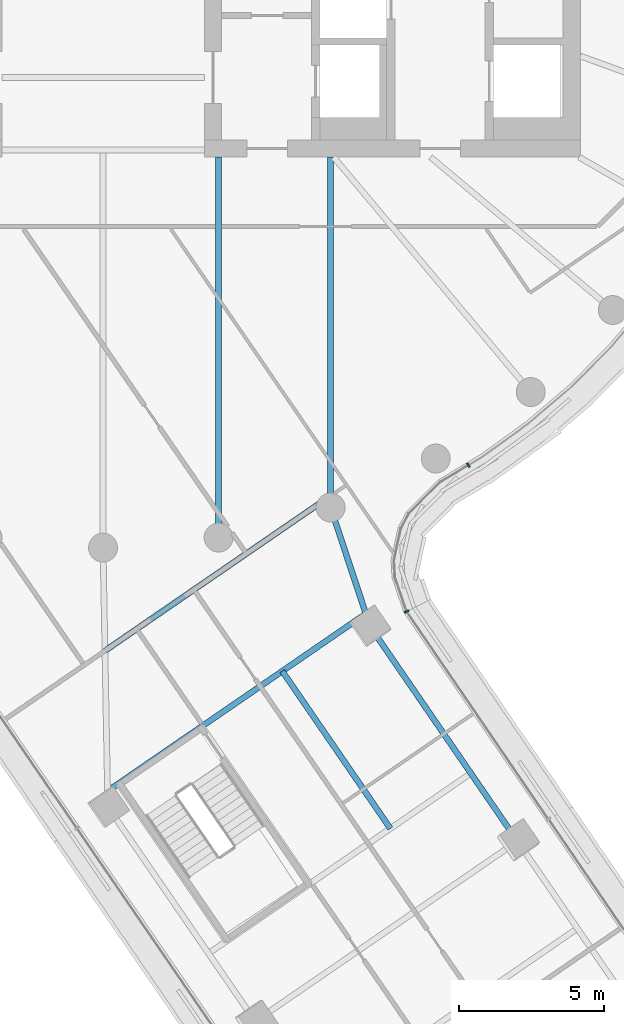
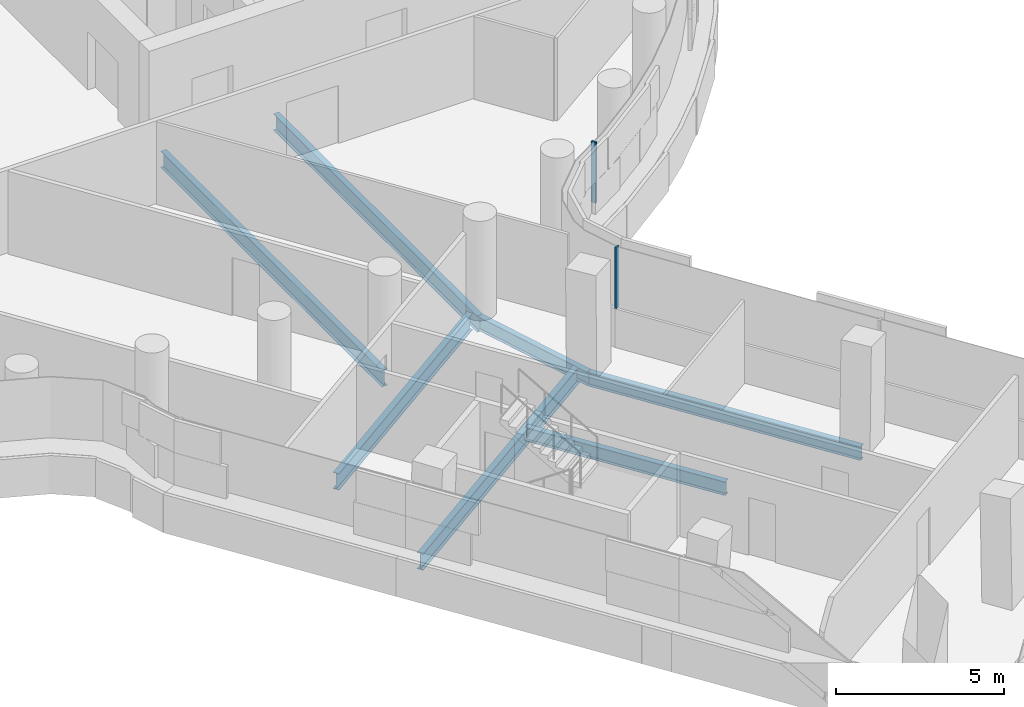
# One storey, part 7 of 33: 7 beams, 2 members, 1 element without a shape of its own.
"""IFC4 building model written with IfcOpenShell, lengths in metres."""

import ifcopenshell
import ifcopenshell.guid

model = None  # the IFC model being written
_history = None  # IfcOwnerHistory: only IFC2X3 demands one
_inside = {}  # id of a spatial element -> (the spatial element, [elements in it])
_under = {}  # id of a project, library or spatial element -> (it, [spatial elements below it])
_declared = {}  # id of a project -> (the project, [libraries it declares])
_typed = {}  # id of a type object -> (the type object, [elements of that type])
_made_of = {}  # id of a material, layer set ... -> (it, [elements and type objects made of it])


def new_model(schema):
    """Start an empty IFC model of exactly this schema.

    Asked for "IFC4X3", IfcOpenShell would pick the latest addendum, in which some entities
    have other attributes; the version numbers below select the first issue.
    IFC2X3 requires an IfcOwnerHistory on every rooted entity: one is made here for all.
    """
    global model, _history
    if schema == "IFC4X3":
        model = ifcopenshell.file(schema_version=(4, 3, 0, 0))
    else:
        model = ifcopenshell.file(schema=schema)
    _inside.clear()
    _under.clear()
    _declared.clear()
    _typed.clear()
    _made_of.clear()
    _history = None
    if model.schema == "IFC2X3":
        org = make("IfcOrganization", Name="unknown")
        user = make(
            "IfcPersonAndOrganization",
            ThePerson=make("IfcPerson", FamilyName="unknown"),
            TheOrganization=org,
        )
        app = make(
            "IfcApplication",
            ApplicationDeveloper=org,
            Version="unknown",
            ApplicationFullName="unknown",
            ApplicationIdentifier="unknown",
        )
        _history = make(
            "IfcOwnerHistory",
            OwningUser=user,
            OwningApplication=app,
            ChangeAction="ADDED",
            CreationDate=0,
        )
    return model


def make(cls, **values):
    """One entity of the class cls with the attributes given. An attribute that is None is left unset."""
    return model.create_entity(
        cls, **{name: value for name, value in values.items() if value is not None}
    )


def rooted(cls, **values):
    """An entity with a GlobalId (a new one), such as an element, a storey or a relation."""
    return make(cls, GlobalId=ifcopenshell.guid.new(), OwnerHistory=_history, **values)


def si_unit(unit_type, name, prefix=None):
    """IfcSIUnit, for example si_unit("LENGTHUNIT", "METRE", prefix="MILLI")."""
    return make("IfcSIUnit", UnitType=unit_type, Prefix=prefix, Name=name)


def assignment(units):
    """IfcUnitAssignment: the units of a project."""
    return None if units is None else make("IfcUnitAssignment", Units=units)


def point(xyz):
    """IfcCartesianPoint."""
    return None if xyz is None else make("IfcCartesianPoint", Coordinates=xyz)


def direction(xyz):
    """IfcDirection."""
    return None if xyz is None else make("IfcDirection", DirectionRatios=xyz)


def frame(location, z_axis=None, x_axis=None):
    """IfcAxis2Placement3D, a coordinate frame: its origin and axes. An axis left out is left unset."""
    return make(
        "IfcAxis2Placement3D",
        Location=point(location),
        Axis=direction(z_axis),
        RefDirection=direction(x_axis),
    )


def frame_2d(location, x_axis=None):
    """IfcAxis2Placement2D, a coordinate frame in the plane: its origin and x axis."""
    return make(
        "IfcAxis2Placement2D", Location=point(location), RefDirection=direction(x_axis)
    )


def origin():
    """The frame at (0, 0, 0) with its axes left unset."""
    return frame((0.0, 0.0, 0.0))


def origin_2d():
    """The frame at (0, 0) in the plane with its x axis left unset."""
    return frame_2d((0.0, 0.0))


def place(relative_to, where):
    """IfcLocalPlacement: puts the frame where relative to a parent placement (None: the world)."""
    return make(
        "IfcLocalPlacement", PlacementRelTo=relative_to, RelativePlacement=where
    )


def context(
    kind, dimensions, precision=None, world=None, true_north=None, identifier=None
):
    """IfcGeometricRepresentationContext, for example the 3D "Model" context."""
    return make(
        "IfcGeometricRepresentationContext",
        ContextIdentifier=identifier,
        ContextType=kind,
        CoordinateSpaceDimension=dimensions,
        Precision=precision,
        WorldCoordinateSystem=world,
        TrueNorth=true_north,
    )


def subcontext(parent, identifier, kind, view, scale=None):
    """IfcGeometricRepresentationSubContext, for example "Body" below "Model"."""
    return make(
        "IfcGeometricRepresentationSubContext",
        ContextIdentifier=identifier,
        ContextType=kind,
        ParentContext=parent,
        TargetScale=scale,
        TargetView=view,
    )


def project(units=None, contexts=None):
    """IfcProject with its units and contexts."""
    return rooted(
        "IfcProject",
        Name="project",
        RepresentationContexts=contexts,
        UnitsInContext=assignment(units),
    )


def spatial(cls, under=None, at=None, **own):
    """A site, building, storey or space (cls), placed at a placement, below another one or the project."""
    s = rooted(cls, ObjectPlacement=at, **own)
    if under is not None:
        _under.setdefault(under.id(), (under, []))[1].append(s)
    return s


def profile(cls, at=None, kind="AREA", **sizes):
    """A parametric profile (cls). Its sizes go by their IFC names, for example OverallWidth=200.0."""
    return make(cls, ProfileType=kind, Position=at, **sizes)


def rectangle(**sizes):
    """IfcRectangleProfileDef."""
    return profile("IfcRectangleProfileDef", **sizes)


def i_section(**sizes):
    """IfcIShapeProfileDef."""
    return profile("IfcIShapeProfileDef", **sizes)


def extrude(swept, where, along, depth):
    """IfcExtrudedAreaSolid: the profile swept, set in the frame where, extruded along a direction by depth."""
    return make(
        "IfcExtrudedAreaSolid",
        SweptArea=swept,
        Position=where,
        ExtrudedDirection=direction(along),
        Depth=depth,
    )


def shape(context_of_items, identifier, shape_type, items):
    """IfcShapeRepresentation: the items that make up one representation, for example the "Body"."""
    return make(
        "IfcShapeRepresentation",
        ContextOfItems=context_of_items,
        RepresentationIdentifier=identifier,
        RepresentationType=shape_type,
        Items=items,
    )


def material(Name=None, Category=None):
    """IfcMaterial."""
    return make("IfcMaterial", Name=Name, Category=Category)


def layer(
    of_material, thickness, ventilated=None, Name=None, Category=None, Priority=None
):
    """IfcMaterialLayer: one layer of a wall or slab, of a material (None: an air gap)."""
    return make(
        "IfcMaterialLayer",
        Material=of_material,
        LayerThickness=thickness,
        IsVentilated=ventilated,
        Name=Name,
        Category=Category,
        Priority=Priority,
    )


def layer_set(layers, Name=None):
    """IfcMaterialLayerSet."""
    return make("IfcMaterialLayerSet", MaterialLayers=layers, LayerSetName=Name)


def material_profile(
    of_material, cross_section, Name=None, Category=None, Priority=None
):
    """IfcMaterialProfile: a cross section and its material."""
    return make(
        "IfcMaterialProfile",
        Name=Name,
        Material=of_material,
        Profile=cross_section,
        Priority=Priority,
        Category=Category,
    )


def profile_set(profiles, Name=None, composite=None):
    """IfcMaterialProfileSet."""
    return make(
        "IfcMaterialProfileSet",
        Name=Name,
        MaterialProfiles=profiles,
        CompositeProfile=composite,
    )


def made_of(thing, what):
    """Note that an element or type object is made of a material, layer set ...; save() writes the relation."""
    if what is not None:
        _made_of.setdefault(what.id(), (what, []))[1].append(thing)
    return thing


def type_object(cls, material=None, **own):
    """A type object (cls), such as IfcWallType, which elements share."""
    return made_of(rooted(cls, **own), material)


def element(
    cls,
    number,
    at=None,
    inside=None,
    cuts=None,
    type_object=None,
    material=None,
    context=None,
    identifier="Body",
    shape_type=None,
    held_by="IfcProductDefinitionShape",
    body=None,
    shapes=None,
    **own,
):
    """One element of the class cls, such as IfcWall. Its Tag is "e" and its number.

    at: its placement. inside: the storey or other place that contains it. cuts: it is an
    opening in that element (IfcRelVoidsElement). A single representation is given by context,
    identifier, shape_type and body (its items); several are given by shapes. held_by: the class
    of the entity that holds the representations. save() writes the other relations.
    """
    e = rooted(cls, Tag="e%d" % number, ObjectPlacement=at, **own)
    if body is not None:
        shapes = [shape(context, identifier, shape_type, body)]
    if shapes is not None:
        e.Representation = make(held_by, Representations=shapes)
    if inside is not None:
        _inside.setdefault(inside.id(), (inside, []))[1].append(e)
    if cuts is not None:
        rooted(
            "IfcRelVoidsElement", RelatingBuildingElement=cuts, RelatedOpeningElement=e
        )
    if type_object is not None:
        _typed.setdefault(type_object.id(), (type_object, []))[1].append(e)
    return made_of(e, material)


def aggregate(whole, parts):
    """IfcRelAggregates: a whole, such as a stair, and the parts it consists of."""
    return rooted("IfcRelAggregates", RelatingObject=whole, RelatedObjects=parts)


def save(model, path):
    """Write the relations noted so far, then the file.

    IfcRelAggregates (storeys below a building ...), IfcRelContainedInSpatialStructure (elements
    in a storey), IfcRelDefinesByType, IfcRelAssociatesMaterial and IfcRelDeclares: one each for
    every whole, place, type object, material and project.
    """
    for whole, parts in _under.values():
        aggregate(whole, parts)
    for where, things in _inside.values():
        rooted(
            "IfcRelContainedInSpatialStructure",
            RelatedElements=things,
            RelatingStructure=where,
        )
    for kind, things in _typed.values():
        rooted("IfcRelDefinesByType", RelatedObjects=things, RelatingType=kind)
    for what, things in _made_of.values():
        rooted("IfcRelAssociatesMaterial", RelatedObjects=things, RelatingMaterial=what)
    for by, libraries in _declared.values():
        rooted("IfcRelDeclares", RelatingContext=by, RelatedDefinitions=libraries)
    model.write(path)


model = new_model("IFC4")

# Units and contexts
model_context = context("Model", 3, precision=1e-05, world=origin(), true_north=direction((0.0, 1.0)))
body_context = subcontext(model_context, "Body", "Model", "MODEL_VIEW")
ifc_project = project(units=[si_unit("LENGTHUNIT", "METRE"), si_unit("AREAUNIT", "SQUARE_METRE"), si_unit("VOLUMEUNIT", "CUBIC_METRE"), si_unit("PLANEANGLEUNIT", "RADIAN"), si_unit("MASSUNIT", "GRAM", prefix="KILO")], contexts=[model_context])

# Site, building, storey
site_placement = place(None, origin())
site = spatial("IfcSite", under=ifc_project, at=site_placement, CompositionType="ELEMENT")
building_placement = place(site_placement, origin())
building = spatial("IfcBuilding", under=site, at=building_placement, Name="Tamarind Cross Interchange Tower", CompositionType="ELEMENT")
storey_placement = place(building_placement, frame((0.0, 0.0, 159.25)))
storey = spatial("IfcBuildingStorey", under=building, at=storey_placement, Name="L39", CompositionType="ELEMENT", Elevation=159.25)

# Beams
ifc_material_1 = material(Name="Steel Q355B", Category="steel")
ifc_material_profile_1 = material_profile(ifc_material_1, i_section(OverallWidth=0.198974609375, OverallDepth=0.49609375, WebThickness=0.009033203125, FlangeThickness=0.013916015625, FilletRadius=0.012939453125, at=origin_2d()), Name="HN 496x199x9x14")
ifc_profile_set_1 = profile_set([ifc_material_profile_1], Name="Steel Q355B")
beam_type_1 = type_object("IfcBeamType", Name="Composite beam HN 496x199x9x14 Q355B", PredefinedType="BEAM", material=ifc_profile_set_1)
beam_1_placement = place(storey_placement, frame((14.327392578125, -33.1474609375, -0.387939453125), z_axis=(-0.566109686972, 0.824329923221, 0.0), x_axis=(-0.824329923221, -0.566109686972, 0.0)))
element("IfcBeam", 1, at=beam_1_placement, inside=storey, type_object=beam_type_1, Name="Beam S-edgeep3", PredefinedType="BEAM", context=body_context, shape_type="SweptSolid", body=[
    extrude(i_section(OverallWidth=0.198974609375, OverallDepth=0.49609375, WebThickness=0.009033203125, FlangeThickness=0.013916015625, FilletRadius=0.012939453125, at=origin_2d()), origin(), (0.0, 0.0, 1.0), 9.0),
])
beam_2_placement = place(storey_placement, frame((9.232421875, -25.728515625, -0.387939453125), z_axis=(-0.315011376477, 0.949087895134, 0.0), x_axis=(-0.949087895134, -0.315011376477, 0.0)))
element("IfcBeam", 2, at=beam_2_placement, inside=storey, type_object=beam_type_1, Name="Beam S-linkep", PredefinedType="BEAM", context=body_context, shape_type="SweptSolid", body=[
    extrude(i_section(OverallWidth=0.198974609375, OverallDepth=0.49609375, WebThickness=0.009033203125, FlangeThickness=0.013916015625, FilletRadius=0.012939453125, at=origin_2d()), origin(), (0.0, 0.0, 1.0), 4.336181640625),
])
beam_3_placement = place(storey_placement, frame((6.195556640625, -27.26806640625, -0.387939453125), z_axis=(0.566103307052, -0.824334304603, 0.0), x_axis=(0.824334304603, 0.566103307052, 0.0)))
element("IfcBeam", 3, at=beam_3_placement, inside=storey, type_object=beam_type_1, Name="Beam S-stripp", PredefinedType="BEAM", context=body_context, shape_type="SweptSolid", body=[
    extrude(i_section(OverallWidth=0.198974609375, OverallDepth=0.49609375, WebThickness=0.009033203125, FlangeThickness=0.013916015625, FilletRadius=0.012939453125, at=origin_2d()), origin(), (0.0, 0.0, 1.0), 6.60009765625),
])
ifc_material_profile_2 = material_profile(ifc_material_1, i_section(OverallWidth=0.198974609375, OverallDepth=0.595947265625, WebThickness=0.010009765625, FlangeThickness=0.014892578125, FilletRadius=0.012939453125, at=origin_2d()), Name="HN 596x199x10x15")
ifc_profile_set_2 = profile_set([ifc_material_profile_2], Name="Steel Q355B")
beam_type_2 = type_object("IfcBeamType", Name="Composite beam HN 596x199x10x15 Q355B", PredefinedType="BEAM", material=ifc_profile_set_2)
beam_4_placement = place(storey_placement, frame((3.993896484375, -22.650634765625, -0.43798828125), z_axis=(0.0, 1.0, 0.0), x_axis=(-1.0, 0.0, 0.0)))
element("IfcBeam", 4, at=beam_4_placement, inside=storey, type_object=beam_type_2, Name="Beam HH28", PredefinedType="BEAM", context=body_context, shape_type="SweptSolid", body=[
    extrude(i_section(OverallWidth=0.198974609375, OverallDepth=0.595947265625, WebThickness=0.010009765625, FlangeThickness=0.014892578125, FilletRadius=0.012939453125, at=origin_2d()), origin(), (0.0, 0.0, 1.0), 13.150634765625),
])
beam_5_placement = place(storey_placement, frame((7.866455078125, -21.613037109375, -0.43798828125), z_axis=(0.0, 1.0, 0.0), x_axis=(-1.0, 0.0, 0.0)))
element("IfcBeam", 5, at=beam_5_placement, inside=storey, type_object=beam_type_2, Name="Beam HH29", PredefinedType="BEAM", context=body_context, shape_type="SweptSolid", body=[
    extrude(i_section(OverallWidth=0.198974609375, OverallDepth=0.595947265625, WebThickness=0.010009765625, FlangeThickness=0.014892578125, FilletRadius=0.012939453125, at=origin_2d()), origin(), (0.0, 0.0, 1.0), 12.113037109375),
])
ifc_material_profile_3 = material_profile(ifc_material_1, i_section(OverallWidth=0.199951171875, OverallDepth=0.60009765625, WebThickness=0.010986328125, FlangeThickness=0.01708984375, FilletRadius=0.012939453125, at=origin_2d()), Name="HN 600x200x11x17")
ifc_profile_set_3 = profile_set([ifc_material_profile_3], Name="Steel Q355B")
beam_type_3 = type_object("IfcBeamType", Name="Composite beam HN 600x200x11x17 Q355B", PredefinedType="BEAM", material=ifc_profile_set_3)
beam_6_placement = place(storey_placement, frame((0.15478515625, -31.41650390625, -0.43994140625), z_axis=(0.824340343781, 0.56609451297, 0.0), x_axis=(-0.56609451297, 0.824340343781, 0.0)))
element("IfcBeam", 6, at=beam_6_placement, inside=storey, type_object=beam_type_3, Name="Beam S-x298", PredefinedType="BEAM", context=body_context, shape_type="SweptSolid", body=[
    extrude(i_section(OverallWidth=0.199951171875, OverallDepth=0.60009765625, WebThickness=0.010986328125, FlangeThickness=0.01708984375, FilletRadius=0.012939453125, at=origin_2d()), origin(), (0.0, 0.0, 1.0), 10.8330078125),
])
beam_7_placement = place(storey_placement, frame((0.065673828125, -26.564697265625, -0.43994140625), z_axis=(0.824328033115, 0.566112439203, 0.0), x_axis=(-0.566112439203, 0.824328033115, 0.0)))
element("IfcBeam", 7, at=beam_7_placement, inside=storey, type_object=beam_type_3, Name="Beam S-x258", PredefinedType="BEAM", context=body_context, shape_type="SweptSolid", body=[
    extrude(i_section(OverallWidth=0.199951171875, OverallDepth=0.60009765625, WebThickness=0.010986328125, FlangeThickness=0.01708984375, FilletRadius=0.012939453125, at=origin_2d()), origin(), (0.0, 0.0, 1.0), 9.233642578125),
])

# Curtain wall, members
ifc_material_2 = material(Name="Aluminium 6063-T6", Category="aluminium")
ifc_layer = layer(ifc_material_2, 0.159912109375)
ifc_layer_set = layer_set([ifc_layer], Name="Aluminium 6063-T6")
curtain_wall_type = type_object("IfcCurtainWallType", Name="Office curtain wall, 9.0 m bays", PredefinedType="NOTDEFINED", material=ifc_layer_set)
curtain_wall_placement = place(storey_placement, origin())
curtain_wall = element("IfcCurtainWall", 8, at=curtain_wall_placement, inside=storey, type_object=curtain_wall_type, Name="CWS-L39-06", PredefinedType="NOTDEFINED")
ifc_material_profile_4 = material_profile(ifc_material_2, rectangle(XDim=0.06005859375, YDim=0.159912109375, at=origin_2d()), Name="Mullion CW1")
ifc_profile_set_4 = profile_set([ifc_material_profile_4], Name="Aluminium 6063-T6")
member_type = type_object("IfcMemberType", Name="Mullion CW1", PredefinedType="MULLION", material=ifc_profile_set_4)
member_1_placement = place(storey_placement, frame((10.494384765625, -25.204833984375, 1.39990234375), z_axis=(0.0, 0.0, 1.0), x_axis=(-0.447894189864, 0.894086570017, 0.0)))
member_1 = element("IfcMember", 9, at=member_1_placement, type_object=member_type, Name="CWM-L39-06-00", PredefinedType="MULLION", context=body_context, shape_type="SweptSolid", body=[
    extrude(rectangle(XDim=0.06005859375, YDim=0.159912109375, at=origin_2d()), origin(), (0.0, 0.0, 1.0), 2.210205078125),
])
member_2_placement = place(storey_placement, frame((12.629150390625, -20.149169921875, 1.39990234375), z_axis=(0.0, 0.0, 1.0), x_axis=(0.856439295542, 0.51624774387, 0.0)))
member_2 = element("IfcMember", 10, at=member_2_placement, type_object=member_type, Name="CWM-L39-06-01", PredefinedType="MULLION", context=body_context, shape_type="SweptSolid", body=[
    extrude(rectangle(XDim=0.06005859375, YDim=0.159912109375, at=origin_2d()), origin(), (0.0, 0.0, 1.0), 2.210205078125),
])
aggregate(curtain_wall, [member_1, member_2])

save(model, "model.ifc")
